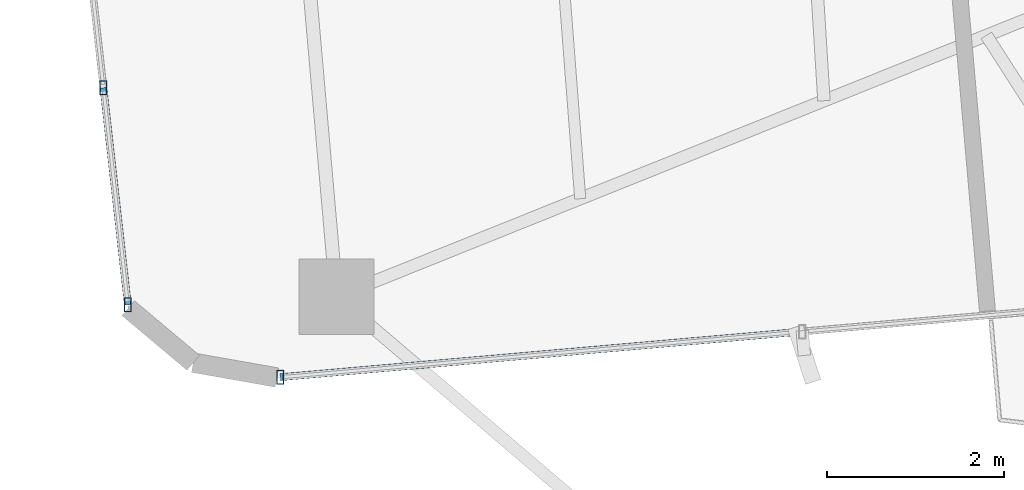
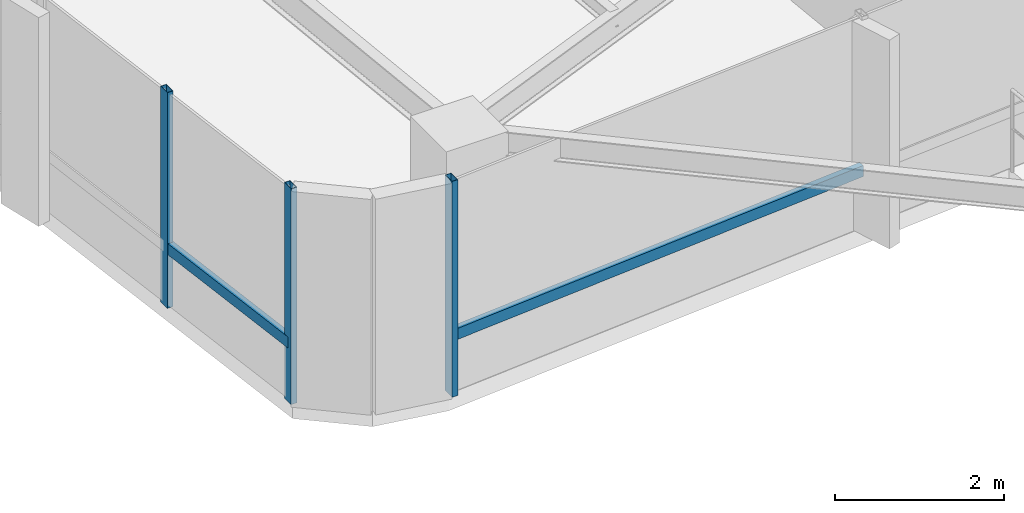
# One storey, part 3 of 24: 5 members, 2 elements without a shape of their own.
"""IFC4 building model written with IfcOpenShell, lengths in metres."""

from ifc_helpers import new_model, si_unit, direction, frame, origin, origin_2d, place, context, subcontext, project, spatial, hollow_rectangle, extrude, source, transform, mapped, material, material_profile, profile_set, type_object, element, aggregate, save


model = new_model("IFC4")

# Units and contexts
model_context = context("Model", 3, precision=1e-05, world=origin(), true_north=direction((0.0, 1.0)))
body_context = subcontext(model_context, "Body", "Model", "MODEL_VIEW")
ifc_project = project(units=[si_unit("LENGTHUNIT", "METRE"), si_unit("AREAUNIT", "SQUARE_METRE"), si_unit("VOLUMEUNIT", "CUBIC_METRE"), si_unit("PLANEANGLEUNIT", "RADIAN"), si_unit("MASSUNIT", "GRAM", prefix="KILO")], contexts=[model_context])

# Site, building, storey
site_placement = place(None, origin())
site = spatial("IfcSite", under=ifc_project, at=site_placement, CompositionType="ELEMENT")
building_placement = place(site_placement, origin())
building = spatial("IfcBuilding", under=site, at=building_placement, Name="Sahyath Konkavel Grand Hotel", CompositionType="ELEMENT")
storey_placement = place(building_placement, frame((0.0, 0.0, 191.949951171875)))
storey = spatial("IfcBuildingStorey", under=building, at=storey_placement, Name="L53", CompositionType="ELEMENT", Elevation=191.949951171875)

# Curtain wall, members
ifc_material_1 = material(Name="Anodised Bronze Aluminium & Low-E Glazing", Category="aluminium")
curtain_wall_type = type_object("IfcCurtainWallType", Name="CW-ZONE3", PredefinedType="NOTDEFINED", material=ifc_material_1)
curtain_wall_1_placement = place(storey_placement, origin())
curtain_wall_1 = element("IfcCurtainWall", 1, at=curtain_wall_1_placement, inside=storey, type_object=curtain_wall_type, Name="L53 Unitised Curtain Wall F20", PredefinedType="NOTDEFINED")
ifc_material_2 = material(Name="Anodised Bronze Aluminium", Category="aluminium")
ifc_material_profile_1 = material_profile(ifc_material_2, hollow_rectangle(XDim=0.080078125, YDim=0.159912109375, WallThickness=0.006103515625, at=origin_2d()), Name="RHS 160x80x6")
ifc_profile_set_1 = profile_set([ifc_material_profile_1], Name="Anodised Bronze Aluminium")
member_type_1 = type_object("IfcMemberType", Name="CW-MUL-160", PredefinedType="MULLION", material=ifc_profile_set_1)
shared_shape_1 = source(origin(), body_context, "Body", "SweptSolid", [
    extrude(hollow_rectangle(XDim=0.080078125, YDim=0.159912109375, WallThickness=0.006103515625, at=origin_2d()), origin(), (0.0, 0.0, 1.0), 3.110107421875),
])
member_1_placement = place(storey_placement, frame((-19.583984375, -4.648193359375, 0.0), z_axis=(0.0, 0.0, 1.0), x_axis=(1.0, 0.0, 0.0)))
member_1 = element("IfcMember", 2, at=member_1_placement, type_object=member_type_1, Name="L53 Curtain Wall Mullion F20-3", PredefinedType="MULLION", context=body_context, shape_type="MappedRepresentation", body=[
    mapped(shared_shape_1, transform((0.0, 0.0, 0.0), scale=1.0)),
])
member_2_placement = place(storey_placement, frame((-19.308349609375, -7.094970703125, 0.0), z_axis=(0.0, 0.0, 1.0), x_axis=(1.0, 0.0, 0.0)))
member_2 = element("IfcMember", 3, at=member_2_placement, type_object=member_type_1, Name="L53 Curtain Wall Mullion F20-4", PredefinedType="MULLION", context=body_context, shape_type="MappedRepresentation", body=[
    mapped(shared_shape_1, transform((0.0, 0.0, 0.0), scale=1.0)),
])

# Curtain wall, member
curtain_wall_2_placement = place(storey_placement, origin())
curtain_wall_2 = element("IfcCurtainWall", 4, at=curtain_wall_2_placement, inside=storey, type_object=curtain_wall_type, Name="L53 Unitised Curtain Wall F23", PredefinedType="NOTDEFINED")
member_3_placement = place(storey_placement, frame((-17.58740234375, -7.912841796875, 0.0), z_axis=(0.0, 0.0, 1.0), x_axis=(1.0, 0.0, 0.0)))
member_3 = element("IfcMember", 5, at=member_3_placement, type_object=member_type_1, Name="L53 Curtain Wall Mullion F23-0", PredefinedType="MULLION", context=body_context, shape_type="MappedRepresentation", body=[
    mapped(shared_shape_1, transform((0.0, 0.0, 0.0), scale=1.0)),
])

# Member
ifc_material_profile_2 = material_profile(ifc_material_2, hollow_rectangle(XDim=0.080078125, YDim=0.159912109375, WallThickness=0.006103515625, at=origin_2d()), Name="RHS 160x80x6")
ifc_profile_set_2 = profile_set([ifc_material_profile_2], Name="Anodised Bronze Aluminium")
member_type_2 = type_object("IfcMemberType", Name="CW-TRN-160", PredefinedType="USERDEFINED", material=ifc_profile_set_2)
shared_shape_2 = source(origin(), body_context, "Body", "SweptSolid", [
    extrude(hollow_rectangle(XDim=0.080078125, YDim=0.159912109375, WallThickness=0.006103515625, at=origin_2d()), origin(), (0.0, 0.0, 1.0), 2.462158203125),
])
member_4_placement = place(storey_placement, frame((-19.583984375, -4.648193359375, 0.85009765625), z_axis=(0.11194409079, -0.993714506555, 0.0), x_axis=(0.993714506555, 0.11194409079, 0.0)))
member_4 = element("IfcMember", 6, at=member_4_placement, type_object=member_type_2, Name="L53 Curtain Wall Transom F20-3-spandrel", ObjectType="TRANSOM", PredefinedType="USERDEFINED", context=body_context, shape_type="MappedRepresentation", body=[
    mapped(shared_shape_2, transform((0.0, 0.0, 0.0), scale=1.0)),
])

aggregate(curtain_wall_1, [member_1, member_2, member_4])

shared_shape_3 = source(origin(), body_context, "Body", "SweptSolid", [
    extrude(hollow_rectangle(XDim=0.080078125, YDim=0.159912109375, WallThickness=0.006103515625, at=origin_2d()), origin(), (0.0, 0.0, 1.0), 5.91015625),
])
member_5_placement = place(storey_placement, frame((-17.58740234375, -7.912841796875, 0.85009765625), z_axis=(0.996197841474, 0.087119806256, 0.0), x_axis=(-0.087119806256, 0.996197841474, 0.0)))
member_5 = element("IfcMember", 7, at=member_5_placement, type_object=member_type_2, Name="L53 Curtain Wall Transom F23-0-spandrel", ObjectType="TRANSOM", PredefinedType="USERDEFINED", context=body_context, shape_type="MappedRepresentation", body=[
    mapped(shared_shape_3, transform((0.0, 0.0, 0.0), scale=1.0)),
])

aggregate(curtain_wall_2, [member_3, member_5])

save(model, "model.ifc")
